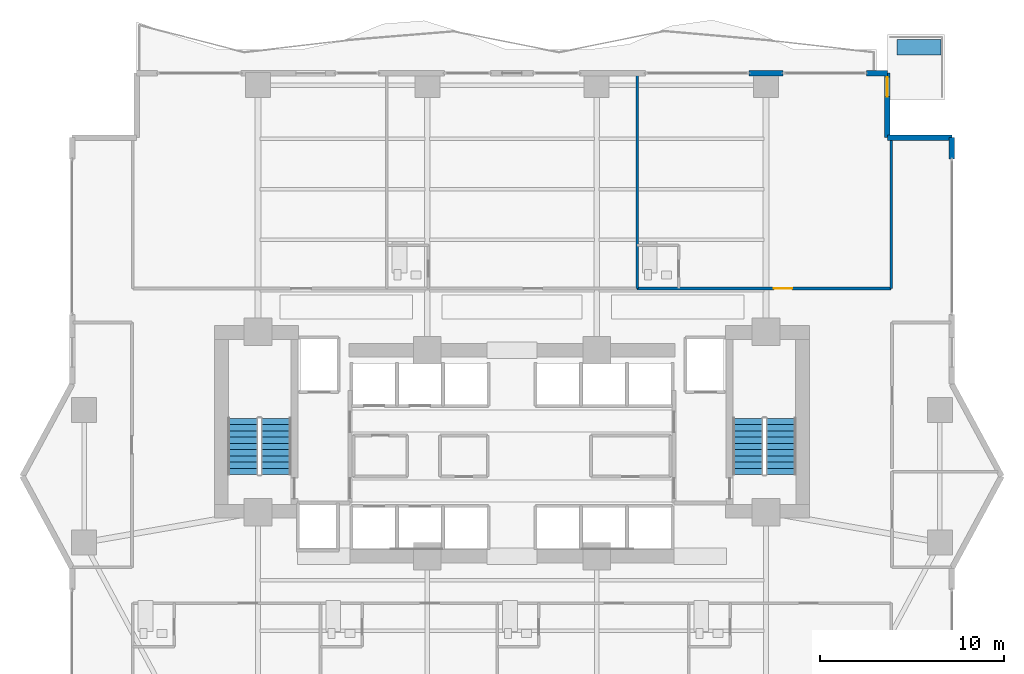
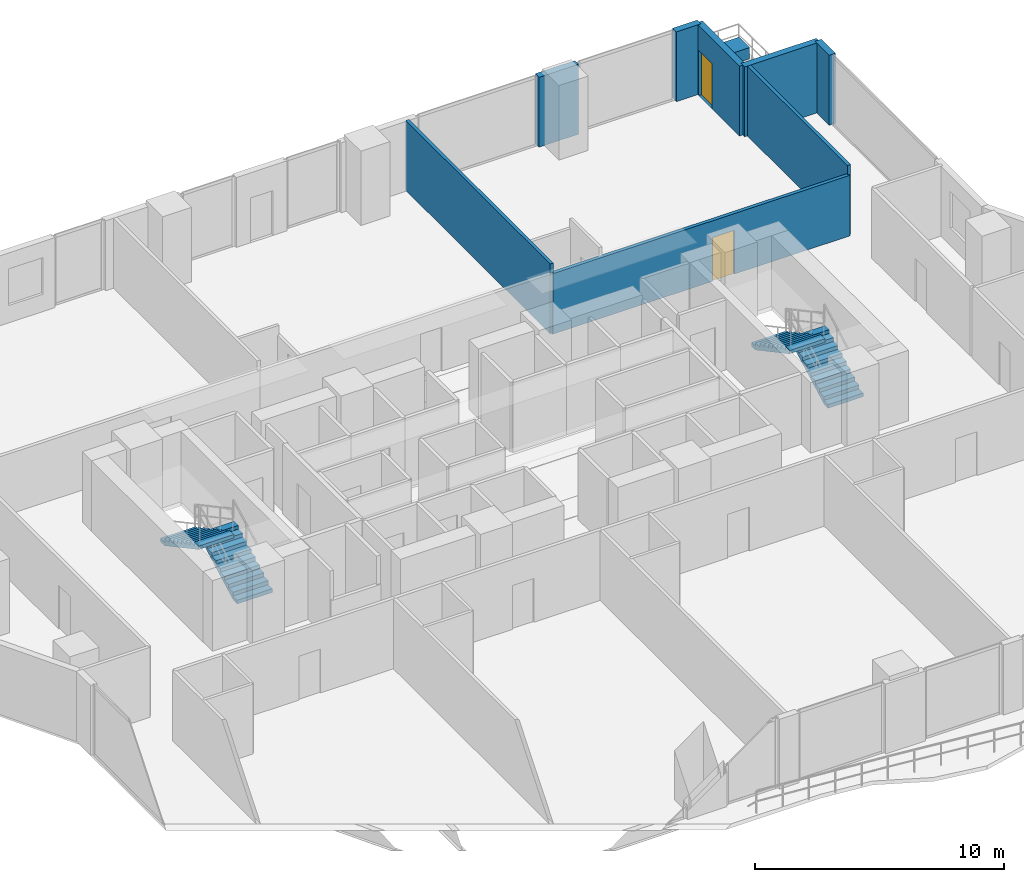
# One storey, part 24 of 28: 8 walls, 4 stair flights, 2 doors, 1 building element part, 2 openings, 2 elements without a shape of their own.
"""IFC4 building model written with IfcOpenShell, lengths in metres."""

from ifc_helpers import new_model, si_unit, direction, frame, frame_2d, origin, origin_2d, place, context, subcontext, project, spatial, polyline, rectangle, outline, extrude, material, layer, layer_set, type_object, element, fill, aggregate, save


model = new_model("IFC4")

# Units and contexts
model_context = context("Model", 3, precision=1e-05, world=origin(), true_north=direction((0.0, 1.0)))
body_context = subcontext(model_context, "Body", "Model", "MODEL_VIEW")
ifc_project = project(units=[si_unit("LENGTHUNIT", "METRE"), si_unit("AREAUNIT", "SQUARE_METRE"), si_unit("VOLUMEUNIT", "CUBIC_METRE"), si_unit("PLANEANGLEUNIT", "RADIAN"), si_unit("MASSUNIT", "GRAM", prefix="KILO")], contexts=[model_context])

# Site, building, storey
site_placement = place(None, origin())
site = spatial("IfcSite", under=ifc_project, at=site_placement, CompositionType="ELEMENT")
building_placement = place(site_placement, origin())
building = spatial("IfcBuilding", under=site, at=building_placement, Name="Zuhayl Quay Hotel", CompositionType="ELEMENT")
storey_placement = place(building_placement, frame((0.0, 0.0, 146.75)))
storey = spatial("IfcBuildingStorey", under=building, at=storey_placement, Name="L37", CompositionType="ELEMENT", Elevation=146.75)

# Walls
ifc_material_1 = material(Name="Precast concrete C45/55", Category="concrete")
ifc_layer_1 = layer(ifc_material_1, 0.300048828125, Name="Precast concrete C45/55", Category="concrete")
ifc_layer_set_1 = layer_set([ifc_layer_1], Name="Precast concrete C45/55")
wall_type_1 = type_object("IfcWallType", Name="WL_EXT_300", PredefinedType="STANDARD", material=ifc_layer_set_1)
wall_1_placement = place(storey_placement, frame((12.8798828125, 28.39990234375, 0.0), z_axis=(0.0, 0.0, 1.0), x_axis=(1.0, 0.0, 0.0)))
element("IfcWall", 1, at=wall_1_placement, inside=storey, type_object=wall_type_1, Name="L37 Exterior Precast Wall ENV_L37_N_EW6", PredefinedType="STANDARD", context=body_context, shape_type="SweptSolid", body=[
    extrude(rectangle(XDim=1.840087890625, YDim=0.300048828125, at=frame_2d((0.919921875, 0.0))), origin(), (0.0, 0.0, 1.0), 3.429931640625),
])
wall_2_placement = place(storey_placement, frame((19.25, 28.39990234375, 0.0), z_axis=(0.0, 0.0, 1.0), x_axis=(1.0, 0.0, 0.0)))
element("IfcWall", 2, at=wall_2_placement, inside=storey, type_object=wall_type_1, Name="L37 Exterior Precast Wall ENV_L37_N_EW7", PredefinedType="STANDARD", context=body_context, shape_type="SweptSolid", body=[
    extrude(rectangle(XDim=1.14990234375, YDim=0.300048828125, at=frame_2d((0.574951171875, 0.0))), origin(), (0.0, 0.0, 1.0), 3.429931640625),
])

# Wall, opening, door
wall_3_placement = place(storey_placement, frame((20.39990234375, 28.39990234375, 0.0), z_axis=(0.0, 0.0, 1.0), x_axis=(0.0, -1.0, 0.0)))
wall_3 = element("IfcWall", 3, at=wall_3_placement, inside=storey, type_object=wall_type_1, Name="L37 Exterior Precast Wall ENV_L37_SP_NE", PredefinedType="STANDARD", context=body_context, shape_type="SweptSolid", body=[
    extrude(rectangle(XDim=3.5, YDim=0.300048828125, at=frame_2d((1.75, 0.0))), origin(), (0.0, 0.0, 1.0), 3.429931640625),
])
opening_1_placement = place(wall_3_placement, frame((0.219970703125, 0.0, 0.0)))
opening_1 = element("IfcOpeningElement", 4, at=opening_1_placement, cuts=wall_3, Name="Opening DG1", PredefinedType="OPENING", context=body_context, shape_type="SweptSolid", body=[
    extrude(rectangle(XDim=1.050048828125, YDim=2.199951171875, at=frame_2d((0.52490234375, 1.10009765625))), frame((0.0, 0.159912109375, 0.0), z_axis=(0.0, -1.0, 0.0), x_axis=(1.0, 0.0, 0.0)), (0.0, 0.0, 1.0), 0.320068359375),
])
ifc_material_2 = material(Name="Anodised Aluminium and Dark Solar Glass", Category="aluminium")
door_type_1 = type_object("IfcDoorType", Name="DR_EXT_TERR_1050", OperationType="NOTDEFINED", PredefinedType="DOOR", material=ifc_material_2)
door_1_placement = place(opening_1_placement, origin())
door_1 = element("IfcDoor", 5, at=door_1_placement, inside=storey, type_object=door_type_1, Name="L37 Spiral Sky-Terrace NE Access Door", OperationType="SINGLE_SWING_LEFT", OverallHeight=2.199951171875, OverallWidth=1.050048828125, PredefinedType="DOOR", context=body_context, shape_type="SweptSolid", body=[
    extrude(rectangle(XDim=1.050048828125, YDim=2.199951171875, at=frame_2d((0.52490234375, 1.10009765625))), frame((0.0, 0.02490234375, 0.0), z_axis=(0.0, -1.0, 0.0), x_axis=(1.0, 0.0, 0.0)), (0.0, 0.0, 1.0), 0.050048828125),
])
fill(opening_1, door_1)

# Walls
wall_4_placement = place(storey_placement, frame((20.39990234375, 24.89990234375, 0.0), z_axis=(0.0, 0.0, 1.0), x_axis=(1.0, 0.0, 0.0)))
element("IfcWall", 6, at=wall_4_placement, inside=storey, type_object=wall_type_1, Name="L37 Exterior Precast Wall ENV_L37_EW10", PredefinedType="STANDARD", context=body_context, shape_type="SweptSolid", body=[
    extrude(rectangle(XDim=3.5, YDim=0.300048828125, at=frame_2d((1.75, 0.0))), origin(), (0.0, 0.0, 1.0), 3.429931640625),
])
wall_5_placement = place(storey_placement, frame((23.89990234375, 24.89990234375, 0.0), z_axis=(0.0, 0.0, 1.0), x_axis=(0.0, -1.0, 0.0)))
element("IfcWall", 7, at=wall_5_placement, inside=storey, type_object=wall_type_1, Name="L37 Exterior Precast Wall ENV_L37_E11_EW1", PredefinedType="STANDARD", context=body_context, shape_type="SweptSolid", body=[
    extrude(rectangle(XDim=1.14990234375, YDim=0.300048828125, at=frame_2d((0.574951171875, 0.0))), origin(), (0.0, 0.0, 1.0), 3.429931640625),
])
ifc_material_3 = material(Name="Acoustic Gypsum Partition STC-58")
ifc_layer_2 = layer(ifc_material_3, 0.14990234375, Name="Acoustic Gypsum Partition STC-58")
ifc_layer_set_2 = layer_set([ifc_layer_2], Name="Acoustic Gypsum Partition STC-58")
wall_type_2 = type_object("IfcWallType", Name="WL_PART_150", PredefinedType="PARTITIONING", material=ifc_layer_set_2)
wall_6_placement = place(storey_placement, frame((6.800048828125, 16.699951171875, 0.0), z_axis=(0.0, 0.0, 1.0), x_axis=(0.0, 1.0, 0.0)))
element("IfcWall", 8, at=wall_6_placement, inside=storey, type_object=wall_type_2, Name="L37 Partition IW_L37_NU02_E", PredefinedType="PARTITIONING", context=body_context, shape_type="SweptSolid", body=[
    extrude(rectangle(XDim=11.6201171875, YDim=0.14990234375, at=frame_2d((5.81005859375, 0.0))), origin(), (0.0, 0.0, 1.0), 3.429931640625),
])
wall_7_placement = place(storey_placement, frame((20.60009765625, 16.699951171875, 0.0), z_axis=(0.0, 0.0, 1.0), x_axis=(0.0, 1.0, 0.0)))
element("IfcWall", 9, at=wall_7_placement, inside=storey, type_object=wall_type_2, Name="L37 Partition IW_L37_NU03_E", PredefinedType="PARTITIONING", context=body_context, shape_type="SweptSolid", body=[
    extrude(rectangle(XDim=8.199951171875, YDim=0.14990234375, at=frame_2d((4.10009765625, 0.0))), origin(), (0.0, 0.0, 1.0), 3.429931640625),
])

# Wall, opening, door
ifc_layer_3 = layer(ifc_material_3, 0.159912109375, Name="Acoustic Gypsum Partition STC-58")
ifc_layer_set_3 = layer_set([ifc_layer_3], Name="Acoustic Gypsum Partition STC-58")
wall_type_3 = type_object("IfcWallType", Name="WL_PART_CORR_160", PredefinedType="PARTITIONING", material=ifc_layer_set_3)
wall_8_placement = place(storey_placement, frame((6.800048828125, 16.699951171875, 0.0), z_axis=(0.0, 0.0, 1.0), x_axis=(1.0, 0.0, 0.0)))
wall_8 = element("IfcWall", 10, at=wall_8_placement, inside=storey, type_object=wall_type_3, Name="L37 Partition IW_L37_NU03_COR", PredefinedType="PARTITIONING", context=body_context, shape_type="SweptSolid", body=[
    extrude(rectangle(XDim=13.800048828125, YDim=0.159912109375, at=frame_2d((6.89990234375, 0.0))), origin(), (0.0, 0.0, 1.0), 2.972900390625),
])
opening_2_placement = place(wall_8_placement, frame((7.425048828125, 0.0, 0.0)))
opening_2 = element("IfcOpeningElement", 11, at=opening_2_placement, cuts=wall_8, Name="Opening D03L", PredefinedType="OPENING", context=body_context, shape_type="SweptSolid", body=[
    extrude(rectangle(XDim=1.0, YDim=2.14990234375, at=frame_2d((0.5, 1.074951171875))), frame((0.0, 0.08984375, 0.0), z_axis=(0.0, -1.0, 0.0), x_axis=(1.0, 0.0, 0.0)), (0.0, 0.0, 1.0), 0.179931640625),
])
ifc_material_4 = material(Name="Solid Walnut Acoustic Fire Door")
door_type_2 = type_object("IfcDoorType", Name="DR_SUITE_1000", OperationType="NOTDEFINED", PredefinedType="DOOR", material=ifc_material_4)
door_2_placement = place(opening_2_placement, origin())
door_2 = element("IfcDoor", 12, at=door_2_placement, inside=storey, type_object=door_type_2, Name="L37 Executive Suite L37-03 Entrance Door", OperationType="SINGLE_SWING_RIGHT", OverallHeight=2.14990234375, OverallWidth=1.0, PredefinedType="DOOR", context=body_context, shape_type="SweptSolid", body=[
    extrude(rectangle(XDim=1.0, YDim=2.14990234375, at=frame_2d((0.5, 1.074951171875))), frame((0.0, 0.02490234375, 0.0), z_axis=(0.0, -1.0, 0.0), x_axis=(1.0, 0.0, 0.0)), (0.0, 0.0, 1.0), 0.050048828125),
])
fill(opening_2, door_2)

# Stair, stair flights
ifc_material_5 = material(Name="Concrete C45/55", Category="concrete")
stair_type = type_object("IfcStairType", Name="ST_DOGLEG_TOWER", PredefinedType="HALF_TURN_STAIR", material=ifc_material_5)
stair_1_placement = place(storey_placement, origin())
stair_1 = element("IfcStair", 13, at=stair_1_placement, inside=storey, type_object=stair_type, Name="L37 Smokeproof Exit Stair ST1", PredefinedType="HALF_TURN_STAIR")
ifc_layer_4 = layer(ifc_material_5, 0.159912109375, Name="Concrete C45/55", Category="concrete")
ifc_layer_set_4 = layer_set([ifc_layer_4], Name="Concrete C45/55")
stair_flight_type = type_object("IfcStairFlightType", Name="SF_CONC_164", PredefinedType="STRAIGHT", material=ifc_layer_set_4)
stair_flight_1_placement = place(storey_placement, frame((-12.820068359375, 6.590087890625, 0.0), z_axis=(0.0, 0.0, 1.0), x_axis=(0.0, 1.0, 0.0)))
stair_flight_1 = element("IfcStairFlight", 14, at=stair_flight_1_placement, type_object=stair_flight_type, Name="ST1 flight 1", NumberOfRisers=10, NumberOfTreads=9, PredefinedType="STRAIGHT", RiserHeight=0.1825, TreadLength=0.34, context=body_context, shape_type="SweptSolid", body=[
    extrude(outline(polyline([(0.0, 0.0), (0.0, 0.1826171875), (0.340087890625, 0.1826171875), (0.340087890625, 0.364990234375), (0.679931640625, 0.364990234375), (0.679931640625, 0.547607421875), (1.02001953125, 0.547607421875), (1.02001953125, 0.72998046875), (1.360107421875, 0.72998046875), (1.360107421875, 0.91259765625), (1.699951171875, 0.91259765625), (1.699951171875, 1.094970703125), (2.0400390625, 1.094970703125), (2.0400390625, 1.277587890625), (2.3798828125, 1.277587890625), (2.3798828125, 1.4599609375), (2.719970703125, 1.4599609375), (2.719970703125, 1.642578125), (3.06005859375, 1.642578125), (3.06005859375, 1.824951171875), (3.06005859375, 1.472412109375), (0.31689453125, 0.0), (0.0, 0.0)])), frame((0.0, 0.81982421875, 0.0), z_axis=(0.0, -1.0, 0.0), x_axis=(1.0, 0.0, 0.0)), (0.0, 0.0, 1.0), 1.639892578125),
])
stair_flight_2_placement = place(storey_placement, frame((-14.610107421875, 9.64990234375, 1.824951171875), z_axis=(0.0, 0.0, 1.0), x_axis=(0.0, -1.0, 0.0)))
stair_flight_2 = element("IfcStairFlight", 15, at=stair_flight_2_placement, type_object=stair_flight_type, Name="ST1 flight 2", NumberOfRisers=10, NumberOfTreads=9, PredefinedType="STRAIGHT", RiserHeight=0.1825, TreadLength=0.34, context=body_context, shape_type="SweptSolid", body=[
    extrude(outline(polyline([(0.0, 0.0), (0.0, 0.1826171875), (0.340087890625, 0.1826171875), (0.340087890625, 0.364990234375), (0.679931640625, 0.364990234375), (0.679931640625, 0.547607421875), (1.02001953125, 0.547607421875), (1.02001953125, 0.72998046875), (1.360107421875, 0.72998046875), (1.360107421875, 0.91259765625), (1.699951171875, 0.91259765625), (1.699951171875, 1.094970703125), (2.0400390625, 1.094970703125), (2.0400390625, 1.277587890625), (2.3798828125, 1.277587890625), (2.3798828125, 1.4599609375), (2.719970703125, 1.4599609375), (2.719970703125, 1.642578125), (3.06005859375, 1.642578125), (3.06005859375, 1.824951171875), (3.06005859375, 1.472412109375), (0.31689453125, 0.0), (0.0, 0.0)])), frame((0.0, 0.81982421875, 0.0), z_axis=(0.0, -1.0, 0.0), x_axis=(1.0, 0.0, 0.0)), (0.0, 0.0, 1.0), 1.639892578125),
])
aggregate(stair_1, [stair_flight_1, stair_flight_2])

stair_2_placement = place(storey_placement, origin())
stair_2 = element("IfcStair", 16, at=stair_2_placement, inside=storey, type_object=stair_type, Name="L37 Smokeproof Exit Stair ST2", PredefinedType="HALF_TURN_STAIR")
stair_flight_3_placement = place(storey_placement, frame((14.610107421875, 6.590087890625, 0.0), z_axis=(0.0, 0.0, 1.0), x_axis=(0.0, 1.0, 0.0)))
stair_flight_3 = element("IfcStairFlight", 17, at=stair_flight_3_placement, type_object=stair_flight_type, Name="ST2 flight 1", NumberOfRisers=10, NumberOfTreads=9, PredefinedType="STRAIGHT", RiserHeight=0.1825, TreadLength=0.34, context=body_context, shape_type="SweptSolid", body=[
    extrude(outline(polyline([(0.0, 0.0), (0.0, 0.1826171875), (0.340087890625, 0.1826171875), (0.340087890625, 0.364990234375), (0.679931640625, 0.364990234375), (0.679931640625, 0.547607421875), (1.02001953125, 0.547607421875), (1.02001953125, 0.72998046875), (1.360107421875, 0.72998046875), (1.360107421875, 0.91259765625), (1.699951171875, 0.91259765625), (1.699951171875, 1.094970703125), (2.0400390625, 1.094970703125), (2.0400390625, 1.277587890625), (2.3798828125, 1.277587890625), (2.3798828125, 1.4599609375), (2.719970703125, 1.4599609375), (2.719970703125, 1.642578125), (3.06005859375, 1.642578125), (3.06005859375, 1.824951171875), (3.06005859375, 1.472412109375), (0.31689453125, 0.0), (0.0, 0.0)])), frame((0.0, 0.81982421875, 0.0), z_axis=(0.0, -1.0, 0.0), x_axis=(1.0, 0.0, 0.0)), (0.0, 0.0, 1.0), 1.639892578125),
])
stair_flight_4_placement = place(storey_placement, frame((12.820068359375, 9.64990234375, 1.824951171875), z_axis=(0.0, 0.0, 1.0), x_axis=(0.0, -1.0, 0.0)))
stair_flight_4 = element("IfcStairFlight", 18, at=stair_flight_4_placement, type_object=stair_flight_type, Name="ST2 flight 2", NumberOfRisers=10, NumberOfTreads=9, PredefinedType="STRAIGHT", RiserHeight=0.1825, TreadLength=0.34, context=body_context, shape_type="SweptSolid", body=[
    extrude(outline(polyline([(0.0, 0.0), (0.0, 0.1826171875), (0.340087890625, 0.1826171875), (0.340087890625, 0.364990234375), (0.679931640625, 0.364990234375), (0.679931640625, 0.547607421875), (1.02001953125, 0.547607421875), (1.02001953125, 0.72998046875), (1.360107421875, 0.72998046875), (1.360107421875, 0.91259765625), (1.699951171875, 0.91259765625), (1.699951171875, 1.094970703125), (2.0400390625, 1.094970703125), (2.0400390625, 1.277587890625), (2.3798828125, 1.277587890625), (2.3798828125, 1.4599609375), (2.719970703125, 1.4599609375), (2.719970703125, 1.642578125), (3.06005859375, 1.642578125), (3.06005859375, 1.824951171875), (3.06005859375, 1.472412109375), (0.31689453125, 0.0), (0.0, 0.0)])), frame((0.0, 0.81982421875, 0.0), z_axis=(0.0, -1.0, 0.0), x_axis=(1.0, 0.0, 0.0)), (0.0, 0.0, 1.0), 1.639892578125),
])
aggregate(stair_2, [stair_flight_3, stair_flight_4])

# Building element part
ifc_layer_5 = layer(ifc_material_1, 0.550048828125, Name="Precast concrete C45/55", Category="concrete")
ifc_layer_set_5 = layer_set([ifc_layer_5], Name="Precast concrete C45/55")
building_element_part_type = type_object("IfcBuildingElementPartType", Name="PT_PLANTER_KERB", PredefinedType="PRECASTPANEL", material=ifc_layer_set_5)
building_element_part_placement = place(storey_placement, frame((22.110107421875, 29.81005859375, 0.0), z_axis=(0.0, 0.0, 1.0), x_axis=(1.0, 0.0, 0.0)))
element("IfcBuildingElementPart", 19, at=building_element_part_placement, inside=storey, type_object=building_element_part_type, Name="L37 Spiral Sky-Terrace Planter Box NE", PredefinedType="PRECASTPANEL", context=body_context, shape_type="SweptSolid", body=[
    extrude(rectangle(XDim=2.39990234375, YDim=0.85009765625, at=origin_2d()), origin(), (0.0, 0.0, 1.0), 0.550048828125),
])

save(model, "model.ifc")
